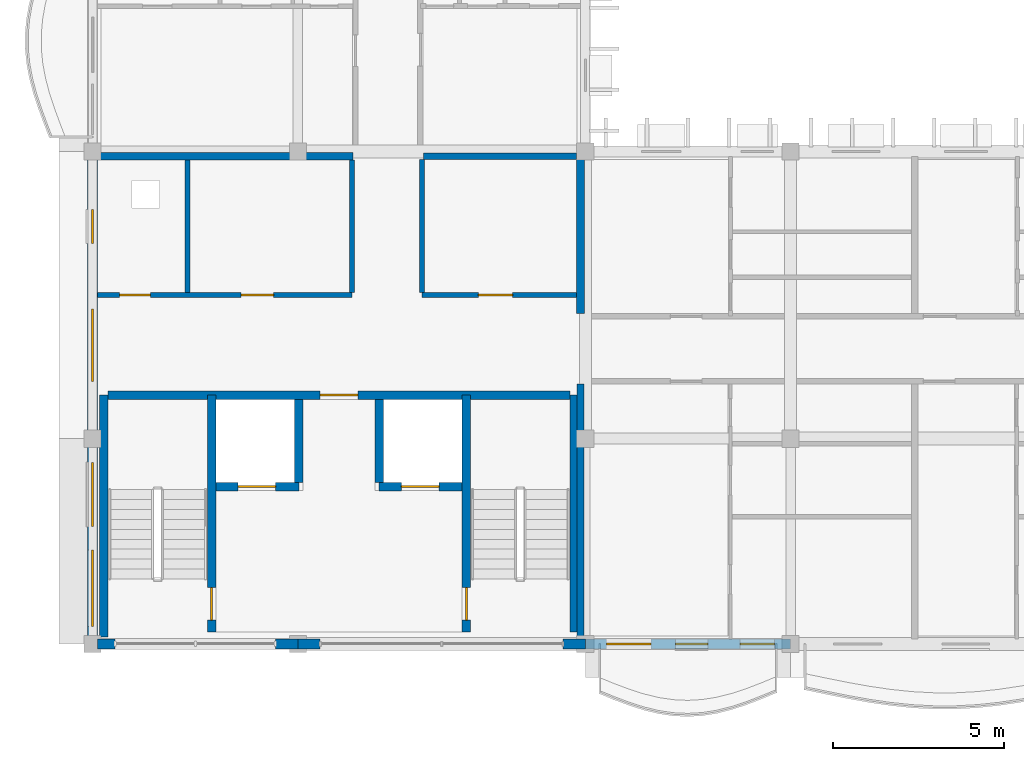
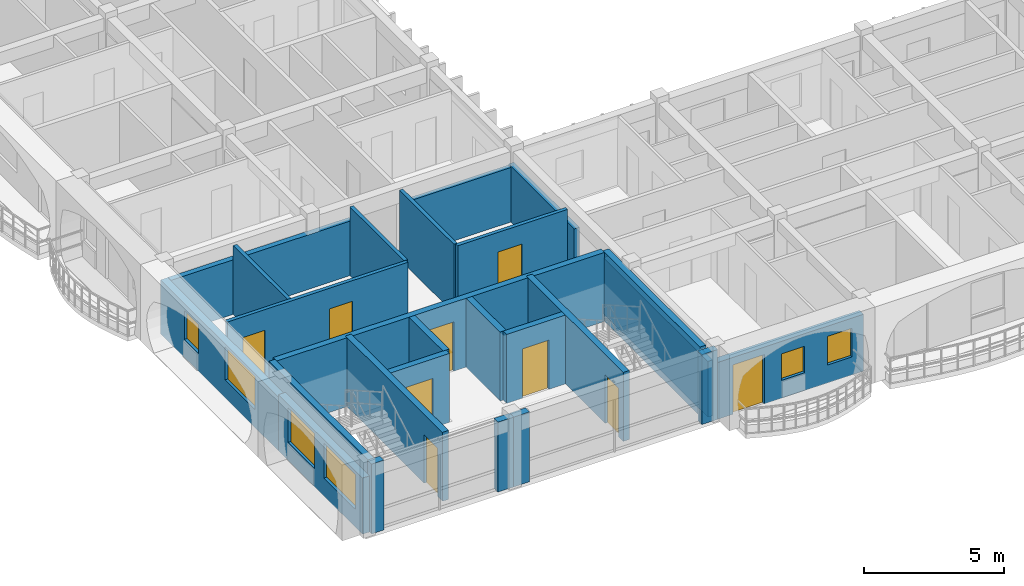
# One storey, part 13 of 66: 25 walls, 9 doors, 6 windows, 15 openings.
"""IFC4 building model written with IfcOpenShell, lengths in metres."""

from ifc_helpers import new_model, si_unit, direction, frame, frame_2d, origin, place, context, subcontext, project, spatial, rectangle, extrude, material, layer, layer_set, type_object, element, fill, save


model = new_model("IFC4")

# Units and contexts
model_context = context("Model", 3, precision=1e-05, world=origin(), true_north=direction((0.0, 1.0)))
body_context = subcontext(model_context, "Body", "Model", "MODEL_VIEW")
ifc_project = project(units=[si_unit("LENGTHUNIT", "METRE"), si_unit("AREAUNIT", "SQUARE_METRE"), si_unit("VOLUMEUNIT", "CUBIC_METRE"), si_unit("PLANEANGLEUNIT", "RADIAN"), si_unit("MASSUNIT", "GRAM", prefix="KILO"), si_unit("THERMODYNAMICTEMPERATUREUNIT", "KELVIN")], contexts=[model_context])

# Site, building, storey
site_placement = place(None, origin())
site = spatial("IfcSite", under=ifc_project, at=site_placement, CompositionType="ELEMENT")
building_placement = place(site_placement, origin())
building = spatial("IfcBuilding", under=site, at=building_placement, Name="Thalorik Housing Commons", CompositionType="ELEMENT")
storey_placement = place(building_placement, frame((0.0, 0.0, 21.300048828125)))
storey = spatial("IfcBuildingStorey", under=building, at=storey_placement, Name="L06", CompositionType="ELEMENT", Elevation=21.300048828125)

# Wall, opening, door
ifc_material_1 = material(Name="Concrete C40/50", Category="concrete")
ifc_layer_1 = layer(ifc_material_1, 0.25, Name="Concrete C40/50", Category="concrete")
ifc_layer_set_1 = layer_set([ifc_layer_1], Name="Concrete C40/50")
wall_type_1 = type_object("IfcWallType", Name="ARC-WAL-CORE-250", PredefinedType="SHEAR", material=ifc_layer_set_1)
wall_1_placement = place(storey_placement, frame((11.875, 8.75, 0.0), z_axis=(0.0, 0.0, 1.0), x_axis=(0.0, 1.0, 0.0)))
wall_1 = element("IfcWall", 1, at=wall_1_placement, inside=storey, type_object=wall_type_1, Name="L06 Core C Stair 1 Shear Wall", PredefinedType="SHEAR", context=body_context, shape_type="SweptSolid", body=[
    extrude(rectangle(XDim=6.925048828125, YDim=0.25, at=frame_2d((3.46240234375, 0.0))), origin(), (0.0, 0.0, 1.0), 3.0),
])
opening_1_placement = place(wall_1_placement, frame((0.35009765625, 0.0, 0.0)))
opening_1 = element("IfcOpeningElement", 2, at=opening_1_placement, cuts=wall_1, Name="Opening ID-0305", PredefinedType="OPENING", context=body_context, shape_type="SweptSolid", body=[
    extrude(rectangle(XDim=0.949951171875, YDim=2.10009765625, at=frame_2d((0.47509765625, 1.050048828125))), frame((0.0, 0.135009765625, 0.0), z_axis=(0.0, -1.0, 0.0), x_axis=(1.0, 0.0, 0.0)), (0.0, 0.0, 1.0), 0.27001953125),
])
ifc_material_2 = material(Name="Steel S355", Category="steel")
door_type_1 = type_object("IfcDoorType", Name="ARC-DR-FD60-950", OperationType="NOTDEFINED", PredefinedType="DOOR", material=ifc_material_2)
door_1_placement = place(opening_1_placement, origin())
door_1 = element("IfcDoor", 3, at=door_1_placement, inside=storey, type_object=door_type_1, Name="L06 Stair ST-C1 Fire Door", OperationType="SINGLE_SWING_RIGHT", OverallHeight=2.10009765625, OverallWidth=0.949951171875, PredefinedType="DOOR", context=body_context, shape_type="SweptSolid", body=[
    extrude(rectangle(XDim=0.949951171875, YDim=2.10009765625, at=frame_2d((0.47509765625, 1.050048828125))), frame((0.0, 0.02490234375, 0.0), z_axis=(0.0, -1.0, 0.0), x_axis=(1.0, 0.0, 0.0)), (0.0, 0.0, 1.0), 0.050048828125),
])
fill(opening_1, door_1)

# Walls
wall_2_placement = place(storey_placement, frame((8.72509765625, 8.60009765625, 0.0), z_axis=(0.0, 0.0, 1.0), x_axis=(0.0, 1.0, 0.0)))
element("IfcWall", 4, at=wall_2_placement, inside=storey, type_object=wall_type_1, Name="L06 Core C Stair 1 Outer Shear Wall", PredefinedType="SHEAR", context=body_context, shape_type="SweptSolid", body=[
    extrude(rectangle(XDim=7.074951171875, YDim=0.25, at=frame_2d((3.53759765625, 0.0))), origin(), (0.0, 0.0, 1.0), 3.0),
])
wall_3_placement = place(storey_placement, frame((22.47509765625, 8.75, 0.0), z_axis=(0.0, 0.0, 1.0), x_axis=(0.0, 1.0, 0.0)))
element("IfcWall", 5, at=wall_3_placement, inside=storey, type_object=wall_type_1, Name="L06 Core C Stair 2 Outer Shear Wall", PredefinedType="SHEAR", context=body_context, shape_type="SweptSolid", body=[
    extrude(rectangle(XDim=6.925048828125, YDim=0.25, at=frame_2d((3.46240234375, 0.0))), origin(), (0.0, 0.0, 1.0), 3.0),
])

# Wall, opening, door
wall_4_placement = place(storey_placement, frame((19.324951171875, 8.75, 0.0), z_axis=(0.0, 0.0, 1.0), x_axis=(0.0, 1.0, 0.0)))
wall_4 = element("IfcWall", 6, at=wall_4_placement, inside=storey, type_object=wall_type_1, Name="L06 Core C Stair 2 Shear Wall", PredefinedType="SHEAR", context=body_context, shape_type="SweptSolid", body=[
    extrude(rectangle(XDim=6.925048828125, YDim=0.25, at=frame_2d((3.46240234375, 0.0))), origin(), (0.0, 0.0, 1.0), 3.0),
])
opening_2_placement = place(wall_4_placement, frame((0.35009765625, 0.0, 0.0)))
opening_2 = element("IfcOpeningElement", 7, at=opening_2_placement, cuts=wall_4, Name="Opening ID-0306", PredefinedType="OPENING", context=body_context, shape_type="SweptSolid", body=[
    extrude(rectangle(XDim=0.949951171875, YDim=2.10009765625, at=frame_2d((0.47509765625, 1.050048828125))), frame((0.0, 0.135009765625, 0.0), z_axis=(0.0, -1.0, 0.0), x_axis=(1.0, 0.0, 0.0)), (0.0, 0.0, 1.0), 0.27001953125),
])
door_2_placement = place(opening_2_placement, origin())
door_2 = element("IfcDoor", 8, at=door_2_placement, inside=storey, type_object=door_type_1, Name="L06 Stair ST-C2 Fire Door", OperationType="SINGLE_SWING_LEFT", OverallHeight=2.10009765625, OverallWidth=0.949951171875, PredefinedType="DOOR", context=body_context, shape_type="SweptSolid", body=[
    extrude(rectangle(XDim=0.949951171875, YDim=2.10009765625, at=frame_2d((0.47509765625, 1.050048828125))), frame((0.0, 0.02490234375, 0.0), z_axis=(0.0, -1.0, 0.0), x_axis=(1.0, 0.0, 0.0)), (0.0, 0.0, 1.0), 0.050048828125),
])
fill(opening_2, door_2)

wall_5_placement = place(storey_placement, frame((12.0, 13.0, 0.0), z_axis=(0.0, 0.0, 1.0), x_axis=(1.0, 0.0, 0.0)))
wall_5 = element("IfcWall", 9, at=wall_5_placement, inside=storey, type_object=wall_type_1, Name="L06 Lift LF-C1 Front Shaft Wall", PredefinedType="SHEAR", context=body_context, shape_type="SweptSolid", body=[
    extrude(rectangle(XDim=2.425048828125, YDim=0.25, at=frame_2d((1.21240234375, 0.0))), origin(), (0.0, 0.0, 1.0), 3.0),
])
opening_3_placement = place(wall_5_placement, frame((0.64990234375, 0.0, 0.0)))
opening_3 = element("IfcOpeningElement", 10, at=opening_3_placement, cuts=wall_5, Name="Opening LD-LF-C1-L06", PredefinedType="OPENING", context=body_context, shape_type="SweptSolid", body=[
    extrude(rectangle(XDim=1.10009765625, YDim=2.14990234375, at=frame_2d((0.550048828125, 1.074951171875))), frame((0.0, 0.135009765625, 0.0), z_axis=(0.0, -1.0, 0.0), x_axis=(1.0, 0.0, 0.0)), (0.0, 0.0, 1.0), 0.27001953125),
])
door_type_2 = type_object("IfcDoorType", Name="ARC-DR-LIFT-1100", OperationType="NOTDEFINED", PredefinedType="DOOR", material=ifc_material_2)
door_3_placement = place(opening_3_placement, origin())
door_3 = element("IfcDoor", 11, at=door_3_placement, inside=storey, type_object=door_type_2, Name="L06 Lift LF-C1 Landing Door", OperationType="SLIDING_TO_LEFT", OverallHeight=2.14990234375, OverallWidth=1.10009765625, PredefinedType="DOOR", context=body_context, shape_type="SweptSolid", body=[
    extrude(rectangle(XDim=1.10009765625, YDim=2.14990234375, at=frame_2d((0.550048828125, 1.074951171875))), frame((0.0, 0.02490234375, 0.0), z_axis=(0.0, -1.0, 0.0), x_axis=(1.0, 0.0, 0.0)), (0.0, 0.0, 1.0), 0.050048828125),
])
fill(opening_3, door_3)

wall_6_placement = place(storey_placement, frame((16.77490234375, 13.0, 0.0), z_axis=(0.0, 0.0, 1.0), x_axis=(1.0, 0.0, 0.0)))
wall_6 = element("IfcWall", 12, at=wall_6_placement, inside=storey, type_object=wall_type_1, Name="L06 Lift LP-C2 Front Shaft Wall", PredefinedType="SHEAR", context=body_context, shape_type="SweptSolid", body=[
    extrude(rectangle(XDim=2.425048828125, YDim=0.25, at=frame_2d((1.21240234375, 0.0))), origin(), (0.0, 0.0, 1.0), 3.0),
])
opening_4_placement = place(wall_6_placement, frame((0.64990234375, 0.0, 0.0)))
opening_4 = element("IfcOpeningElement", 13, at=opening_4_placement, cuts=wall_6, Name="Opening LD-LP-C2-L06", PredefinedType="OPENING", context=body_context, shape_type="SweptSolid", body=[
    extrude(rectangle(XDim=1.10009765625, YDim=2.14990234375, at=frame_2d((0.550048828125, 1.074951171875))), frame((0.0, 0.135009765625, 0.0), z_axis=(0.0, -1.0, 0.0), x_axis=(1.0, 0.0, 0.0)), (0.0, 0.0, 1.0), 0.27001953125),
])
door_4_placement = place(opening_4_placement, origin())
door_4 = element("IfcDoor", 14, at=door_4_placement, inside=storey, type_object=door_type_2, Name="L06 Lift LP-C2 Landing Door", OperationType="SLIDING_TO_LEFT", OverallHeight=2.14990234375, OverallWidth=1.10009765625, PredefinedType="DOOR", context=body_context, shape_type="SweptSolid", body=[
    extrude(rectangle(XDim=1.10009765625, YDim=2.14990234375, at=frame_2d((0.550048828125, 1.074951171875))), frame((0.0, 0.02490234375, 0.0), z_axis=(0.0, -1.0, 0.0), x_axis=(1.0, 0.0, 0.0)), (0.0, 0.0, 1.0), 0.050048828125),
])
fill(opening_4, door_4)

# Walls
for number, where, z_axis, x_axis, name in (
    (15, (14.425048828125, 13.125, 0.0), (0.0, 0.0, 1.0), (0.0, 1.0, 0.0), "L06 Lift 1 Cheek Wall"),
    (16, (16.77490234375, 13.125, 0.0), (0.0, 0.0, 1.0), (0.0, 1.0, 0.0), "L06 Lift 2 Cheek Wall"),
):
    element("IfcWall", number, at=place(storey_placement, frame(where, z_axis=z_axis, x_axis=x_axis)), inside=storey, type_object=wall_type_1, Name=name, PredefinedType="SHEAR", context=body_context, shape_type="SweptSolid", body=[
        extrude(rectangle(XDim=2.425048828125, YDim=0.25, at=frame_2d((1.21240234375, 0.0))), origin(), (0.0, 0.0, 1.0), 3.0),
    ])

# Wall, opening, door
wall_7_placement = place(storey_placement, frame((8.85009765625, 15.675048828125, 0.0), z_axis=(0.0, 0.0, 1.0), x_axis=(1.0, 0.0, 0.0)))
wall_7 = element("IfcWall", 17, at=wall_7_placement, inside=storey, type_object=wall_type_1, Name="L06 Core C Spine Shear Wall", PredefinedType="SHEAR", context=body_context, shape_type="SweptSolid", body=[
    extrude(rectangle(XDim=13.5, YDim=0.25, at=frame_2d((6.75, 0.0))), origin(), (0.0, 0.0, 1.0), 3.0),
])
opening_5_placement = place(wall_7_placement, frame((6.199951171875, 0.0, 0.0)))
opening_5 = element("IfcOpeningElement", 18, at=opening_5_placement, cuts=wall_7, Name="Opening ID-0309", PredefinedType="OPENING", context=body_context, shape_type="SweptSolid", body=[
    extrude(rectangle(XDim=1.10009765625, YDim=2.14990234375, at=frame_2d((0.550048828125, 1.074951171875))), frame((0.0, 0.135009765625, 0.0), z_axis=(0.0, -1.0, 0.0), x_axis=(1.0, 0.0, 0.0)), (0.0, 0.0, 1.0), 0.27001953125),
])
door_type_3 = type_object("IfcDoorType", Name="ARC-DR-FD60-1100", OperationType="NOTDEFINED", PredefinedType="DOOR", material=ifc_material_2)
door_5_placement = place(opening_5_placement, origin())
door_5 = element("IfcDoor", 19, at=door_5_placement, inside=storey, type_object=door_type_3, Name="L06 Core C Lobby Fire Door", OperationType="SINGLE_SWING_RIGHT", OverallHeight=2.14990234375, OverallWidth=1.10009765625, PredefinedType="DOOR", context=body_context, shape_type="SweptSolid", body=[
    extrude(rectangle(XDim=1.10009765625, YDim=2.14990234375, at=frame_2d((0.550048828125, 1.074951171875))), frame((0.0, 0.02490234375, 0.0), z_axis=(0.0, -1.0, 0.0), x_axis=(1.0, 0.0, 0.0)), (0.0, 0.0, 1.0), 0.050048828125),
])
fill(opening_5, door_5)

# Wall, openings, windows
ifc_material_3 = material(Name="White precast concrete C40/50", Category="concrete")
ifc_layer_2 = layer(ifc_material_3, 0.2900390625, Name="White precast concrete C40/50", Category="concrete")
ifc_layer_set_2 = layer_set([ifc_layer_2], Name="White precast concrete C40/50")
wall_type_2 = type_object("IfcWallType", Name="ARC-WAL-EXT-290", PredefinedType="STANDARD", material=ifc_layer_set_2)
wall_8_placement = place(storey_placement, frame((8.39990234375, 22.800048828125, 0.0), z_axis=(0.0, 0.0, 1.0), x_axis=(0.0, -1.0, 0.0)))
wall_8 = element("IfcWall", 20, at=wall_8_placement, inside=storey, type_object=wall_type_2, Name="L06 Exterior Wall WAL-EXT-L06-C-1001", PredefinedType="STANDARD", context=body_context, shape_type="SweptSolid", body=[
    extrude(rectangle(XDim=8.400146484375, YDim=0.2900390625, at=frame_2d((4.2001953125, 0.0))), origin(), (0.0, 0.0, 1.0), 2.344970703125),
])
opening_6_placement = place(wall_8_placement, frame((1.695068359375, 0.0, 0.780029296875)))
opening_6 = element("IfcOpeningElement", 21, at=opening_6_placement, cuts=wall_8, Name="Opening W-02", PredefinedType="OPENING", context=body_context, shape_type="SweptSolid", body=[
    extrude(rectangle(XDim=1.0, YDim=1.25, at=frame_2d((0.5, 0.625))), frame((0.0, 0.155029296875, 0.0), z_axis=(0.0, -1.0, 0.0), x_axis=(1.0, 0.0, 0.0)), (0.0, 0.0, 1.0), 0.31005859375),
])
opening_7_placement = place(wall_8_placement, frame((4.6025390625, 0.0, 0.780029296875)))
opening_7 = element("IfcOpeningElement", 22, at=opening_7_placement, cuts=wall_8, Name="Opening W-64", PredefinedType="OPENING", context=body_context, shape_type="SweptSolid", body=[
    extrude(rectangle(XDim=2.1201171875, YDim=1.43994140625, at=frame_2d((1.06005859375, 0.719970703125))), frame((0.0, 0.155029296875, 0.0), z_axis=(0.0, -1.0, 0.0), x_axis=(1.0, 0.0, 0.0)), (0.0, 0.0, 1.0), 0.31005859375),
])
ifc_material_4 = material(Name="Anodised aluminium and solar-control low-E glass", Category="aluminium")
window_type_1 = type_object("IfcWindowType", Name="ARC-WIN-02", PartitioningType="SINGLE_PANEL", PredefinedType="WINDOW", material=ifc_material_4)
window_1_placement = place(opening_6_placement, origin())
window_1 = element("IfcWindow", 23, at=window_1_placement, inside=storey, type_object=window_type_1, Name="L06 Facade Window 1851", OverallHeight=1.25, OverallWidth=1.0, PartitioningType="SINGLE_PANEL", PredefinedType="WINDOW", context=body_context, shape_type="SweptSolid", body=[
    extrude(rectangle(XDim=1.0, YDim=1.25, at=frame_2d((0.5, 0.625))), frame((0.0, 0.030029296875, 0.0), z_axis=(0.0, -1.0, 0.0), x_axis=(1.0, 0.0, 0.0)), (0.0, 0.0, 1.0), 0.06005859375),
])
fill(opening_6, window_1)
window_type_2 = type_object("IfcWindowType", Name="ARC-WIN-64", PartitioningType="DOUBLE_PANEL_VERTICAL", PredefinedType="WINDOW", material=ifc_material_4)
window_2_placement = place(opening_7_placement, origin())
window_2 = element("IfcWindow", 24, at=window_2_placement, inside=storey, type_object=window_type_2, Name="L06 Facade Window 1852", OverallHeight=1.43994140625, OverallWidth=2.1201171875, PartitioningType="DOUBLE_PANEL_VERTICAL", PredefinedType="WINDOW", context=body_context, shape_type="SweptSolid", body=[
    extrude(rectangle(XDim=2.1201171875, YDim=1.43994140625, at=frame_2d((1.06005859375, 0.719970703125))), frame((0.0, 0.030029296875, 0.0), z_axis=(0.0, -1.0, 0.0), x_axis=(1.0, 0.0, 0.0)), (0.0, 0.0, 1.0), 0.06005859375),
])
fill(opening_7, window_2)

wall_9_placement = place(storey_placement, frame((8.39990234375, 14.39990234375, 0.0), z_axis=(0.0, 0.0, 1.0), x_axis=(0.0, -1.0, 0.0)))
wall_9 = element("IfcWall", 25, at=wall_9_placement, inside=storey, type_object=wall_type_2, Name="L06 Exterior Wall WAL-EXT-L06-C-1002", PredefinedType="STANDARD", context=body_context, shape_type="SweptSolid", body=[
    extrude(rectangle(XDim=6.0, YDim=0.2900390625, at=frame_2d((3.0, 0.0))), origin(), (0.0, 0.0, 1.0), 2.445068359375),
])
opening_8_placement = place(wall_9_placement, frame((0.68994140625, 0.0, 0.780029296875)))
opening_8 = element("IfcOpeningElement", 26, at=opening_8_placement, cuts=wall_9, Name="Opening W-59", PredefinedType="OPENING", context=body_context, shape_type="SweptSolid", body=[
    extrude(rectangle(XDim=1.8798828125, YDim=1.52001953125, at=frame_2d((0.93994140625, 0.760009765625))), frame((0.0, 0.155029296875, 0.0), z_axis=(0.0, -1.0, 0.0), x_axis=(1.0, 0.0, 0.0)), (0.0, 0.0, 1.0), 0.31005859375),
])
opening_9_placement = place(wall_9_placement, frame((3.25, 0.0, 0.780029296875)))
opening_9 = element("IfcOpeningElement", 27, at=opening_9_placement, cuts=wall_9, Name="Opening W-66", PredefinedType="OPENING", context=body_context, shape_type="SweptSolid", body=[
    extrude(rectangle(XDim=2.239990234375, YDim=1.52001953125, at=frame_2d((1.1201171875, 0.760009765625))), frame((0.0, 0.155029296875, 0.0), z_axis=(0.0, -1.0, 0.0), x_axis=(1.0, 0.0, 0.0)), (0.0, 0.0, 1.0), 0.31005859375),
])
window_type_3 = type_object("IfcWindowType", Name="ARC-WIN-59", PartitioningType="DOUBLE_PANEL_VERTICAL", PredefinedType="WINDOW", material=ifc_material_4)
window_3_placement = place(opening_8_placement, origin())
window_3 = element("IfcWindow", 28, at=window_3_placement, inside=storey, type_object=window_type_3, Name="L06 Facade Window 1853", OverallHeight=1.52001953125, OverallWidth=1.8798828125, PartitioningType="DOUBLE_PANEL_VERTICAL", PredefinedType="WINDOW", context=body_context, shape_type="SweptSolid", body=[
    extrude(rectangle(XDim=1.8798828125, YDim=1.52001953125, at=frame_2d((0.93994140625, 0.760009765625))), frame((0.0, 0.030029296875, 0.0), z_axis=(0.0, -1.0, 0.0), x_axis=(1.0, 0.0, 0.0)), (0.0, 0.0, 1.0), 0.06005859375),
])
fill(opening_8, window_3)
window_type_4 = type_object("IfcWindowType", Name="ARC-WIN-66", PartitioningType="DOUBLE_PANEL_VERTICAL", PredefinedType="WINDOW", material=ifc_material_4)
window_4_placement = place(opening_9_placement, origin())
window_4 = element("IfcWindow", 29, at=window_4_placement, inside=storey, type_object=window_type_4, Name="L06 Facade Window 1854", OverallHeight=1.52001953125, OverallWidth=2.239990234375, PartitioningType="DOUBLE_PANEL_VERTICAL", PredefinedType="WINDOW", context=body_context, shape_type="SweptSolid", body=[
    extrude(rectangle(XDim=2.239990234375, YDim=1.52001953125, at=frame_2d((1.1201171875, 0.760009765625))), frame((0.0, 0.030029296875, 0.0), z_axis=(0.0, -1.0, 0.0), x_axis=(1.0, 0.0, 0.0)), (0.0, 0.0, 1.0), 0.06005859375),
])
fill(opening_9, window_4)

# Walls
wall_10_placement = place(storey_placement, frame((8.547119140625, 8.39990234375, 0.0), z_axis=(0.0, 0.0, 1.0), x_axis=(1.0, 0.0, 0.0)))
element("IfcWall", 30, at=wall_10_placement, inside=storey, type_object=wall_type_2, Name="L06 Exterior Wall WAL-PIERL-L06-C-1003", PredefinedType="STANDARD", context=body_context, shape_type="SweptSolid", body=[
    extrude(rectangle(XDim=0.5029296875, YDim=0.2900390625, at=frame_2d((0.25146484375, 0.0))), origin(), (0.0, 0.0, 1.0), 3.0400390625),
])
wall_11_placement = place(storey_placement, frame((13.75, 8.39990234375, 0.0), z_axis=(0.0, 0.0, 1.0), x_axis=(1.0, 0.0, 0.0)))
element("IfcWall", 31, at=wall_11_placement, inside=storey, type_object=wall_type_2, Name="L06 Exterior Wall WAL-PIERR-L06-C-1003", PredefinedType="STANDARD", context=body_context, shape_type="SweptSolid", body=[
    extrude(rectangle(XDim=0.64990234375, YDim=0.2900390625, at=frame_2d((0.324951171875, 0.0))), origin(), (0.0, 0.0, 1.0), 3.0400390625),
])
for number, where, z_axis, x_axis, name in (
    (32, (14.39990234375, 8.39990234375, 0.0), (0.0, 0.0, 1.0), (1.0, 0.0, 0.0), "L06 Exterior Wall WAL-PIERL-L06-C-1004"),
    (33, (22.14990234375, 8.39990234375, 0.0), (0.0, 0.0, 1.0), (1.0, 0.0, 0.0), "L06 Exterior Wall WAL-PIERR-L06-C-1004"),
):
    element("IfcWall", number, at=place(storey_placement, frame(where, z_axis=z_axis, x_axis=x_axis)), inside=storey, type_object=wall_type_2, Name=name, PredefinedType="STANDARD", context=body_context, shape_type="SweptSolid", body=[
        extrude(rectangle(XDim=0.650146484375, YDim=0.2900390625, at=frame_2d((0.3251953125, 0.0))), origin(), (0.0, 0.0, 1.0), 3.0400390625),
    ])

# Wall, openings, door, windows
wall_12_placement = place(storey_placement, frame((22.800048828125, 8.39990234375, 0.0), z_axis=(0.0, 0.0, 1.0), x_axis=(1.0, 0.0, 0.0)))
wall_12 = element("IfcWall", 34, at=wall_12_placement, inside=storey, type_object=wall_type_2, Name="L06 Exterior Wall WAL-EXT-L06-C-1005", PredefinedType="STANDARD", context=body_context, shape_type="SweptSolid", body=[
    extrude(rectangle(XDim=6.0, YDim=0.2900390625, at=frame_2d((3.0, 0.0))), origin(), (0.0, 0.0, 1.0), 2.474853515625),
])
opening_10_placement = place(wall_12_placement, frame((0.6201171875, 0.0, 0.0)))
opening_10 = element("IfcOpeningElement", 35, at=opening_10_placement, cuts=wall_12, Name="Opening ED-0333", PredefinedType="OPENING", context=body_context, shape_type="SweptSolid", body=[
    extrude(rectangle(XDim=1.300048828125, YDim=2.14990234375, at=frame_2d((0.64990234375, 1.074951171875))), frame((0.0, 0.155029296875, 0.0), z_axis=(0.0, -1.0, 0.0), x_axis=(1.0, 0.0, 0.0)), (0.0, 0.0, 1.0), 0.31005859375),
])
opening_11_placement = place(wall_12_placement, frame((2.632568359375, 0.0, 0.780029296875)))
opening_11 = element("IfcOpeningElement", 36, at=opening_11_placement, cuts=wall_12, Name="Opening W-43", PredefinedType="OPENING", context=body_context, shape_type="SweptSolid", body=[
    extrude(rectangle(XDim=0.949951171875, YDim=1.14990234375, at=frame_2d((0.47509765625, 0.574951171875))), frame((0.0, 0.155029296875, 0.0), z_axis=(0.0, -1.0, 0.0), x_axis=(1.0, 0.0, 0.0)), (0.0, 0.0, 1.0), 0.31005859375),
])
opening_12_placement = place(wall_12_placement, frame((4.527587890625, 0.0, 0.780029296875)))
opening_12 = element("IfcOpeningElement", 37, at=opening_12_placement, cuts=wall_12, Name="Opening W-02", PredefinedType="OPENING", context=body_context, shape_type="SweptSolid", body=[
    extrude(rectangle(XDim=1.0, YDim=1.25, at=frame_2d((0.5, 0.625))), frame((0.0, 0.155029296875, 0.0), z_axis=(0.0, -1.0, 0.0), x_axis=(1.0, 0.0, 0.0)), (0.0, 0.0, 1.0), 0.31005859375),
])
ifc_material_5 = material(Name="Anodised aluminium and laminated safety glass", Category="aluminium")
door_type_4 = type_object("IfcDoorType", Name="ARC-DR-BAL-1300", OperationType="NOTDEFINED", PredefinedType="DOOR", material=ifc_material_5)
door_6_placement = place(opening_10_placement, frame((1.300048828125, 0.0, 0.0), z_axis=(0.0, 0.0, 1.0), x_axis=(-1.0, 0.0, 0.0)))
door_6 = element("IfcDoor", 38, at=door_6_placement, inside=storey, type_object=door_type_4, Name="L06 Block C Balcony Glazed Door", OperationType="SINGLE_SWING_RIGHT", OverallHeight=2.14990234375, OverallWidth=1.300048828125, PredefinedType="DOOR", context=body_context, shape_type="SweptSolid", body=[
    extrude(rectangle(XDim=1.300048828125, YDim=2.14990234375, at=frame_2d((0.64990234375, 1.074951171875))), frame((0.0, 0.02490234375, 0.0), z_axis=(0.0, -1.0, 0.0), x_axis=(1.0, 0.0, 0.0)), (0.0, 0.0, 1.0), 0.050048828125),
])
fill(opening_10, door_6)
window_5_placement = place(opening_12_placement, origin())
window_5 = element("IfcWindow", 39, at=window_5_placement, inside=storey, type_object=window_type_1, Name="L06 Facade Window 1856", OverallHeight=1.25, OverallWidth=1.0, PartitioningType="SINGLE_PANEL", PredefinedType="WINDOW", context=body_context, shape_type="SweptSolid", body=[
    extrude(rectangle(XDim=1.0, YDim=1.25, at=frame_2d((0.5, 0.625))), frame((0.0, 0.030029296875, 0.0), z_axis=(0.0, -1.0, 0.0), x_axis=(1.0, 0.0, 0.0)), (0.0, 0.0, 1.0), 0.06005859375),
])
fill(opening_12, window_5)
window_type_5 = type_object("IfcWindowType", Name="ARC-WIN-43", PartitioningType="SINGLE_PANEL", PredefinedType="WINDOW", material=ifc_material_4)
window_6_placement = place(opening_11_placement, origin())
window_6 = element("IfcWindow", 40, at=window_6_placement, inside=storey, type_object=window_type_5, Name="L06 Facade Window 1855", OverallHeight=1.14990234375, OverallWidth=0.949951171875, PartitioningType="SINGLE_PANEL", PredefinedType="WINDOW", context=body_context, shape_type="SweptSolid", body=[
    extrude(rectangle(XDim=0.949951171875, YDim=1.14990234375, at=frame_2d((0.47509765625, 0.574951171875))), frame((0.0, 0.030029296875, 0.0), z_axis=(0.0, -1.0, 0.0), x_axis=(1.0, 0.0, 0.0)), (0.0, 0.0, 1.0), 0.06005859375),
])
fill(opening_11, window_6)

# Walls
ifc_material_6 = material(Name="Ceramic masonry partition wall", Category="masonry")
ifc_layer_3 = layer(ifc_material_6, 0.14794921875, Name="Ceramic masonry partition wall", Category="masonry")
ifc_layer_set_3 = layer_set([ifc_layer_3], Name="Ceramic masonry partition wall")
wall_type_3 = type_object("IfcWallType", Name="ARC-WAL-PART-150", PredefinedType="PARTITIONING", material=ifc_layer_set_3)
for number, where, z_axis, x_axis, name in (
    (41, (11.175048828125, 18.676025390625, 0.0), (0.0, 0.0, 1.0), (0.0, 1.0, 0.0), "Riser Wall"),
    (42, (15.97509765625, 18.676025390625, 0.0), (0.0, 0.0, 1.0), (0.0, 1.0, 0.0), "Core Stem West Cheek Wall"),
):
    element("IfcWall", number, at=place(storey_placement, frame(where, z_axis=z_axis, x_axis=x_axis)), inside=storey, type_object=wall_type_3, Name=name, PredefinedType="PARTITIONING", context=body_context, shape_type="SweptSolid", body=[
        extrude(rectangle(XDim=3.8720703125, YDim=0.14794921875, at=frame_2d((1.93603515625, 0.0))), origin(), (0.0, 0.0, 1.0), 3.0),
    ])
wall_13_placement = place(storey_placement, frame((18.02490234375, 18.676025390625, 0.0), z_axis=(0.0, 0.0, 1.0), x_axis=(0.0, 1.0, 0.0)))
element("IfcWall", 43, at=wall_13_placement, inside=storey, type_object=wall_type_3, Name="Core Stem East Cheek Wall", PredefinedType="PARTITIONING", context=body_context, shape_type="SweptSolid", body=[
    extrude(rectangle(XDim=3.889404296875, YDim=0.14794921875, at=frame_2d((1.94482421875, 0.0))), origin(), (0.0, 0.0, 1.0), 3.0),
])

# Wall, openings, doors
wall_14_placement = place(storey_placement, frame((8.5400390625, 18.60009765625, 0.0), z_axis=(0.0, 0.0, 1.0), x_axis=(1.0, 0.0, 0.0)))
wall_14 = element("IfcWall", 44, at=wall_14_placement, inside=storey, type_object=wall_type_3, Name="L06 Core C West Corridor Partition", PredefinedType="PARTITIONING", context=body_context, shape_type="SweptSolid", body=[
    extrude(rectangle(XDim=7.43505859375, YDim=0.14794921875, at=frame_2d((3.717529296875, 0.0))), origin(), (0.0, 0.0, 1.0), 3.0),
])
opening_13_placement = place(wall_14_placement, frame((0.64990234375, 0.0, 0.0)))
opening_13 = element("IfcOpeningElement", 45, at=opening_13_placement, cuts=wall_14, Name="Opening ID-0310", PredefinedType="OPENING", context=body_context, shape_type="SweptSolid", body=[
    extrude(rectangle(XDim=0.89990234375, YDim=2.10009765625, at=frame_2d((0.449951171875, 1.050048828125))), frame((0.0, 0.083984375, 0.0), z_axis=(0.0, -1.0, 0.0), x_axis=(1.0, 0.0, 0.0)), (0.0, 0.0, 1.0), 0.16796875),
])
opening_14_placement = place(wall_14_placement, frame((4.199951171875, 0.0, 0.0)))
opening_14 = element("IfcOpeningElement", 46, at=opening_14_placement, cuts=wall_14, Name="Opening ID-0311", PredefinedType="OPENING", context=body_context, shape_type="SweptSolid", body=[
    extrude(rectangle(XDim=0.949951171875, YDim=2.10009765625, at=frame_2d((0.47509765625, 1.050048828125))), frame((0.0, 0.083984375, 0.0), z_axis=(0.0, -1.0, 0.0), x_axis=(1.0, 0.0, 0.0)), (0.0, 0.0, 1.0), 0.16796875),
])
door_type_5 = type_object("IfcDoorType", Name="ARC-DR-FD60-900", OperationType="NOTDEFINED", PredefinedType="DOOR", material=ifc_material_2)
door_7_placement = place(opening_13_placement, origin())
door_7 = element("IfcDoor", 47, at=door_7_placement, inside=storey, type_object=door_type_5, Name="Electrical Riser Door", OperationType="SINGLE_SWING_LEFT", OverallHeight=2.10009765625, OverallWidth=0.89990234375, PredefinedType="DOOR", context=body_context, shape_type="SweptSolid", body=[
    extrude(rectangle(XDim=0.89990234375, YDim=2.10009765625, at=frame_2d((0.449951171875, 1.050048828125))), frame((0.0, 0.02490234375, 0.0), z_axis=(0.0, -1.0, 0.0), x_axis=(1.0, 0.0, 0.0)), (0.0, 0.0, 1.0), 0.050048828125),
])
fill(opening_13, door_7)
ifc_material_7 = material(Name="Engineered oak timber", Category="wood")
door_type_6 = type_object("IfcDoorType", Name="ARC-DR-INT-950", OperationType="NOTDEFINED", PredefinedType="DOOR", material=ifc_material_7)
door_8_placement = place(opening_14_placement, origin())
door_8 = element("IfcDoor", 48, at=door_8_placement, inside=storey, type_object=door_type_6, Name="Accessible Bathroom Door", OperationType="SINGLE_SWING_RIGHT", OverallHeight=2.10009765625, OverallWidth=0.949951171875, PredefinedType="DOOR", context=body_context, shape_type="SweptSolid", body=[
    extrude(rectangle(XDim=0.949951171875, YDim=2.10009765625, at=frame_2d((0.47509765625, 1.050048828125))), frame((0.0, 0.02490234375, 0.0), z_axis=(0.0, -1.0, 0.0), x_axis=(1.0, 0.0, 0.0)), (0.0, 0.0, 1.0), 0.050048828125),
])
fill(opening_14, door_8)

# Wall, opening, door
wall_15_placement = place(storey_placement, frame((18.02490234375, 18.60009765625, 0.0), z_axis=(0.0, 0.0, 1.0), x_axis=(1.0, 0.0, 0.0)))
wall_15 = element("IfcWall", 49, at=wall_15_placement, inside=storey, type_object=wall_type_3, Name="L06 Core C East Corridor Partition", PredefinedType="PARTITIONING", context=body_context, shape_type="SweptSolid", body=[
    extrude(rectangle(XDim=4.523193359375, YDim=0.14794921875, at=frame_2d((2.26171875, 0.0))), origin(), (0.0, 0.0, 1.0), 3.0),
])
opening_15_placement = place(wall_15_placement, frame((1.64990234375, 0.0, 0.0)))
opening_15 = element("IfcOpeningElement", 50, at=opening_15_placement, cuts=wall_15, Name="Opening ID-0312", PredefinedType="OPENING", context=body_context, shape_type="SweptSolid", body=[
    extrude(rectangle(XDim=1.0, YDim=2.14990234375, at=frame_2d((0.5, 1.074951171875))), frame((0.0, 0.083984375, 0.0), z_axis=(0.0, -1.0, 0.0), x_axis=(1.0, 0.0, 0.0)), (0.0, 0.0, 1.0), 0.16796875),
])
door_type_7 = type_object("IfcDoorType", Name="ARC-DR-FD60-1000", OperationType="NOTDEFINED", PredefinedType="DOOR", material=ifc_material_2)
door_9_placement = place(opening_15_placement, origin())
door_9 = element("IfcDoor", 51, at=door_9_placement, inside=storey, type_object=door_type_7, Name="Core Hub Room Door", OperationType="SINGLE_SWING_LEFT", OverallHeight=2.14990234375, OverallWidth=1.0, PredefinedType="DOOR", context=body_context, shape_type="SweptSolid", body=[
    extrude(rectangle(XDim=1.0, YDim=2.14990234375, at=frame_2d((0.5, 1.074951171875))), frame((0.0, 0.02490234375, 0.0), z_axis=(0.0, -1.0, 0.0), x_axis=(1.0, 0.0, 0.0)), (0.0, 0.0, 1.0), 0.050048828125),
])
fill(opening_15, door_9)

# Walls
ifc_material_8 = material(Name="Masonry acoustic blockwork wall", Category="masonry")
ifc_layer_4 = layer(ifc_material_8, 0.18505859375, Name="Masonry acoustic blockwork wall", Category="masonry")
ifc_layer_set_4 = layer_set([ifc_layer_4], Name="Masonry acoustic blockwork wall")
wall_type_4 = type_object("IfcWallType", Name="ARC-WAL-PARTY-185", PredefinedType="PARTITIONING", material=ifc_layer_set_4)
wall_16_placement = place(storey_placement, frame((18.064453125, 22.659912109375, 0.0), z_axis=(0.0, 0.0, 1.0), x_axis=(1.0, 0.0, 0.0)))
element("IfcWall", 52, at=wall_16_placement, inside=storey, type_object=wall_type_4, Name="L06 Inter-Tenancy Wall 0B", PredefinedType="PARTITIONING", context=body_context, shape_type="SweptSolid", body=[
    extrude(rectangle(XDim=4.483642578125, YDim=0.18505859375, at=frame_2d((2.24169921875, 0.0))), origin(), (0.0, 0.0, 1.0), 2.375),
])
ifc_material_9 = material(Name="Precast concrete C40/50 acoustic wall", Category="concrete")
ifc_layer_5 = layer(ifc_material_9, 0.199951171875, Name="Precast concrete C40/50 acoustic wall", Category="concrete")
ifc_layer_set_5 = layer_set([ifc_layer_5], Name="Precast concrete C40/50 acoustic wall")
wall_type_5 = type_object("IfcWallType", Name="ARC-WAL-PARTY-200", PredefinedType="PARTITIONING", material=ifc_layer_set_5)
wall_17_placement = place(storey_placement, frame((22.659912109375, 8.547119140625, 0.0), z_axis=(0.0, 0.0, 1.0), x_axis=(0.0, 1.0, 0.0)))
element("IfcWall", 53, at=wall_17_placement, inside=storey, type_object=wall_type_5, Name="L06 Inter-Tenancy Wall 0A", PredefinedType="PARTITIONING", context=body_context, shape_type="SweptSolid", body=[
    extrude(rectangle(XDim=7.455810546875, YDim=0.199951171875, at=frame_2d((3.72802734375, 0.0))), origin(), (0.0, 0.0, 1.0), 2.425048828125),
])
ifc_layer_6 = layer(ifc_material_9, 0.219970703125, Name="Precast concrete C40/50 acoustic wall", Category="concrete")
ifc_layer_set_6 = layer_set([ifc_layer_6], Name="Precast concrete C40/50 acoustic wall")
wall_type_6 = type_object("IfcWallType", Name="ARC-WAL-PARTY-220", PredefinedType="PARTITIONING", material=ifc_layer_set_6)
wall_18_placement = place(storey_placement, frame((8.547119140625, 22.659912109375, 0.0), z_axis=(0.0, 0.0, 1.0), x_axis=(1.0, 0.0, 0.0)))
element("IfcWall", 54, at=wall_18_placement, inside=storey, type_object=wall_type_6, Name="L06 Inter-Tenancy Wall 0A", PredefinedType="PARTITIONING", context=body_context, shape_type="SweptSolid", body=[
    extrude(rectangle(XDim=7.455810546875, YDim=0.219970703125, at=frame_2d((3.72802734375, 0.0))), origin(), (0.0, 0.0, 1.0), 2.375),
])
wall_19_placement = place(storey_placement, frame((22.659912109375, 18.064453125, 0.0), z_axis=(0.0, 0.0, 1.0), x_axis=(0.0, 1.0, 0.0)))
element("IfcWall", 55, at=wall_19_placement, inside=storey, type_object=wall_type_6, Name="L06 Inter-Tenancy Wall 0B", PredefinedType="PARTITIONING", context=body_context, shape_type="SweptSolid", body=[
    extrude(rectangle(XDim=4.675537109375, YDim=0.219970703125, at=frame_2d((2.337890625, 0.0))), origin(), (0.0, 0.0, 1.0), 2.425048828125),
])

save(model, "model.ifc")
